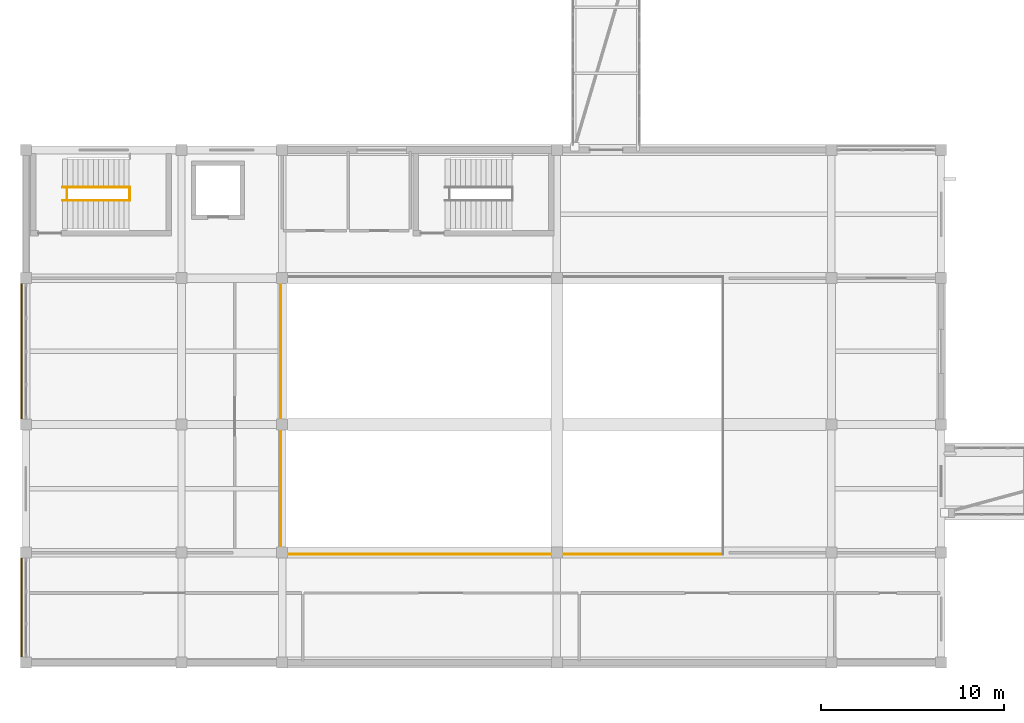
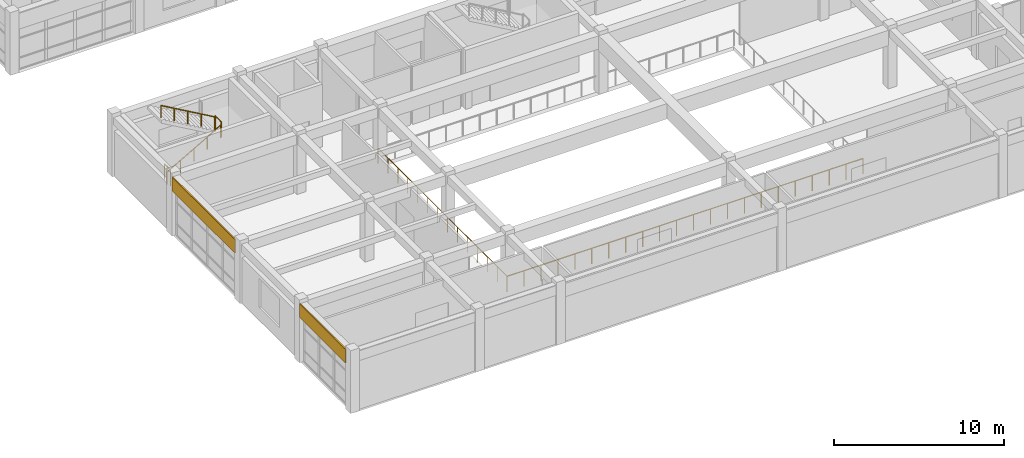
# One storey, part 60 of 72: 6 railings, 2 coverings.
"""IFC4 building model written with IfcOpenShell, lengths in metres."""

from ifc_helpers import new_model, si_unit, direction, frame, origin, origin_2d, place, context, subcontext, project, spatial, rectangle, circle, extrude, material, layer, layer_set, type_object, element, save


model = new_model("IFC4")

# Units and contexts
model_context = context("Model", 3, precision=1e-05, world=origin(), true_north=direction((0.0, 1.0)))
body_context = subcontext(model_context, "Body", "Model", "MODEL_VIEW")
ifc_project = project(units=[si_unit("LENGTHUNIT", "METRE"), si_unit("AREAUNIT", "SQUARE_METRE"), si_unit("VOLUMEUNIT", "CUBIC_METRE"), si_unit("PLANEANGLEUNIT", "RADIAN"), si_unit("MASSUNIT", "GRAM", prefix="KILO")], contexts=[model_context])

# Site, building, storey
site_placement = place(None, origin())
site = spatial("IfcSite", under=ifc_project, at=site_placement, CompositionType="ELEMENT")
building_placement = place(site_placement, origin())
building = spatial("IfcBuilding", under=site, at=building_placement, Name="Naurynzar Civic Courthouse", CompositionType="ELEMENT")
storey_placement = place(building_placement, frame((0.0, 0.0, 9.89990234375)))
storey = spatial("IfcBuildingStorey", under=building, at=storey_placement, Name="L03", CompositionType="ELEMENT", Elevation=9.89990234375)

# Coverings
ifc_material_1 = material(Name="Precast concrete C40/50", Category="concrete")
ifc_layer = layer(ifc_material_1, 0.080078125)
ifc_layer_set = layer_set([ifc_layer], Name="COV-CLAD-PRECAST-80")
covering_type = type_object("IfcCoveringType", Name="COV-CLAD-PRECAST-80", PredefinedType="CLADDING", material=ifc_layer_set)
covering_1_placement = place(storey_placement, frame((5.7451171875, 7.0, 3.260009765625), z_axis=(0.0, 0.0, 1.0), x_axis=(0.0, 1.0, 0.0)))
element("IfcCovering", 1, at=covering_1_placement, inside=storey, type_object=covering_type, Name="V4 precast spandrel cladding 77", PredefinedType="CLADDING", context=body_context, shape_type="SweptSolid", body=[
    extrude(rectangle(XDim=5.39990234375, YDim=0.080078125, at=origin_2d()), origin(), (0.0, 0.0, 1.0), 0.97998046875),
])
covering_2_placement = place(storey_placement, frame((5.7451171875, 21.0, 3.260009765625), z_axis=(0.0, 0.0, 1.0), x_axis=(0.0, 1.0, 0.0)))
element("IfcCovering", 2, at=covering_2_placement, inside=storey, type_object=covering_type, Name="V4 precast spandrel cladding 78", PredefinedType="CLADDING", context=body_context, shape_type="SweptSolid", body=[
    extrude(rectangle(XDim=7.39990234375, YDim=0.080078125, at=origin_2d()), origin(), (0.0, 0.0, 1.0), 0.97998046875),
])

# Railings
ifc_material_2 = material(Name="Brushed Stainless Steel 304", Category="steel")
railing_type_1 = type_object("IfcRailingType", Name="RAIL-BAL-1100", PredefinedType="BALUSTRADE", material=ifc_material_2)
railing_1_placement = place(storey_placement, frame((19.919921875, 9.919921875, 0.0)))
element("IfcRailing", 3, at=railing_1_placement, inside=storey, type_object=railing_type_1, Name="Atrium gallery balustrade guard GR-VOID-V4-L03.1", PredefinedType="BALUSTRADE", context=body_context, shape_type="SweptSolid", body=[
    extrude(circle(Radius=0.02392578125, at=origin_2d()), frame((0.0, 0.0, 1.09619140625), z_axis=(1.0, 0.0, 0.0), x_axis=(0.0, 1.0, 0.0)), (0.0, 0.0, 1.0), 24.16015625),
    extrude(circle(Radius=0.02099609375, at=origin_2d()), origin(), (0.0, 0.0, 1.0), 1.072021484375),
    extrude(circle(Radius=0.02099609375, at=origin_2d()), frame((1.150390625, 0.0, 0.0)), (0.0, 0.0, 1.0), 1.072021484375),
    extrude(circle(Radius=0.02099609375, at=origin_2d()), frame((2.301025390625, 0.0, 0.0)), (0.0, 0.0, 1.0), 1.072021484375),
    extrude(circle(Radius=0.02099609375, at=origin_2d()), frame((3.451416015625, 0.0, 0.0)), (0.0, 0.0, 1.0), 1.072021484375),
    extrude(circle(Radius=0.02099609375, at=origin_2d()), frame((4.60205078125, 0.0, 0.0)), (0.0, 0.0, 1.0), 1.072021484375),
    extrude(circle(Radius=0.02099609375, at=origin_2d()), frame((5.75244140625, 0.0, 0.0)), (0.0, 0.0, 1.0), 1.072021484375),
    extrude(circle(Radius=0.02099609375, at=origin_2d()), frame((6.90283203125, 0.0, 0.0)), (0.0, 0.0, 1.0), 1.072021484375),
    extrude(circle(Radius=0.02099609375, at=origin_2d()), frame((8.053466796875, 0.0, 0.0)), (0.0, 0.0, 1.0), 1.072021484375),
    extrude(circle(Radius=0.02099609375, at=origin_2d()), frame((9.203857421875, 0.0, 0.0)), (0.0, 0.0, 1.0), 1.072021484375),
    extrude(circle(Radius=0.02099609375, at=origin_2d()), frame((10.354248046875, 0.0, 0.0)), (0.0, 0.0, 1.0), 1.072021484375),
    extrude(circle(Radius=0.02099609375, at=origin_2d()), frame((11.5048828125, 0.0, 0.0)), (0.0, 0.0, 1.0), 1.072021484375),
    extrude(circle(Radius=0.02099609375, at=origin_2d()), frame((12.6552734375, 0.0, 0.0)), (0.0, 0.0, 1.0), 1.072021484375),
    extrude(circle(Radius=0.02099609375, at=origin_2d()), frame((13.805908203125, 0.0, 0.0)), (0.0, 0.0, 1.0), 1.072021484375),
    extrude(circle(Radius=0.02099609375, at=origin_2d()), frame((14.956298828125, 0.0, 0.0)), (0.0, 0.0, 1.0), 1.072021484375),
    extrude(circle(Radius=0.02099609375, at=origin_2d()), frame((16.106689453125, 0.0, 0.0)), (0.0, 0.0, 1.0), 1.072021484375),
    extrude(circle(Radius=0.02099609375, at=origin_2d()), frame((17.25732421875, 0.0, 0.0)), (0.0, 0.0, 1.0), 1.072021484375),
    extrude(circle(Radius=0.02099609375, at=origin_2d()), frame((18.40771484375, 0.0, 0.0)), (0.0, 0.0, 1.0), 1.072021484375),
    extrude(circle(Radius=0.02099609375, at=origin_2d()), frame((19.55810546875, 0.0, 0.0)), (0.0, 0.0, 1.0), 1.072021484375),
    extrude(circle(Radius=0.02099609375, at=origin_2d()), frame((20.708740234375, 0.0, 0.0)), (0.0, 0.0, 1.0), 1.072021484375),
    extrude(circle(Radius=0.02099609375, at=origin_2d()), frame((21.859130859375, 0.0, 0.0)), (0.0, 0.0, 1.0), 1.072021484375),
    extrude(circle(Radius=0.02099609375, at=origin_2d()), frame((23.009765625, 0.0, 0.0)), (0.0, 0.0, 1.0), 1.072021484375),
    extrude(circle(Radius=0.02099609375, at=origin_2d()), frame((24.16015625, 0.0, 0.0)), (0.0, 0.0, 1.0), 1.072021484375),
])
railing_2_placement = place(storey_placement, frame((19.919921875, 25.080078125, 0.0)))
element("IfcRailing", 4, at=railing_2_placement, inside=storey, type_object=railing_type_1, Name="Atrium gallery balustrade guard GR-VOID-V4-L03.4", PredefinedType="BALUSTRADE", context=body_context, shape_type="SweptSolid", body=[
    extrude(circle(Radius=0.02392578125, at=origin_2d()), frame((0.0, 0.0, 1.09619140625), z_axis=(0.0, -1.0, 0.0), x_axis=(1.0, 0.0, 0.0)), (0.0, 0.0, 1.0), 15.16015625),
    extrude(circle(Radius=0.02099609375, at=origin_2d()), origin(), (0.0, 0.0, 1.0), 1.072021484375),
    extrude(circle(Radius=0.02099609375, at=origin_2d()), frame((0.0, -1.166259765625, 0.0)), (0.0, 0.0, 1.0), 1.072021484375),
    extrude(circle(Radius=0.02099609375, at=origin_2d()), frame((0.0, -2.332275390625, 0.0)), (0.0, 0.0, 1.0), 1.072021484375),
    extrude(circle(Radius=0.02099609375, at=origin_2d()), frame((0.0, -3.49853515625, 0.0)), (0.0, 0.0, 1.0), 1.072021484375),
    extrude(circle(Radius=0.02099609375, at=origin_2d()), frame((0.0, -4.66455078125, 0.0)), (0.0, 0.0, 1.0), 1.072021484375),
    extrude(circle(Radius=0.02099609375, at=origin_2d()), frame((0.0, -5.830810546875, 0.0)), (0.0, 0.0, 1.0), 1.072021484375),
    extrude(circle(Radius=0.02099609375, at=origin_2d()), frame((0.0, -6.9970703125, 0.0)), (0.0, 0.0, 1.0), 1.072021484375),
    extrude(circle(Radius=0.02099609375, at=origin_2d()), frame((0.0, -8.1630859375, 0.0)), (0.0, 0.0, 1.0), 1.072021484375),
    extrude(circle(Radius=0.02099609375, at=origin_2d()), frame((0.0, -9.329345703125, 0.0)), (0.0, 0.0, 1.0), 1.072021484375),
    extrude(circle(Radius=0.02099609375, at=origin_2d()), frame((0.0, -10.49560546875, 0.0)), (0.0, 0.0, 1.0), 1.072021484375),
    extrude(circle(Radius=0.02099609375, at=origin_2d()), frame((0.0, -11.66162109375, 0.0)), (0.0, 0.0, 1.0), 1.072021484375),
    extrude(circle(Radius=0.02099609375, at=origin_2d()), frame((0.0, -12.827880859375, 0.0)), (0.0, 0.0, 1.0), 1.072021484375),
    extrude(circle(Radius=0.02099609375, at=origin_2d()), frame((0.0, -13.993896484375, 0.0)), (0.0, 0.0, 1.0), 1.072021484375),
    extrude(circle(Radius=0.02099609375, at=origin_2d()), frame((0.0, -15.16015625, 0.0)), (0.0, 0.0, 1.0), 1.072021484375),
])
for number, where, name in (
    (5, (8.239990234375, 29.239990234375, 0.0), "Stair ST-V4A floor well slot guard L03"),
    (6, (11.679931640625, 29.239990234375, 2.25), "Stair ST-V4A-L03 half-landing well guard"),
):
    element("IfcRailing", number, at=place(storey_placement, frame(where)), inside=storey, type_object=railing_type_1, Name=name, PredefinedType="BALUSTRADE", context=body_context, shape_type="SweptSolid", body=[
        extrude(circle(Radius=0.02392578125, at=origin_2d()), frame((0.0, 0.0, 1.09619140625), z_axis=(0.0, 1.0, 0.0), x_axis=(-1.0, 0.0, 0.0)), (0.0, 0.0, 1.0), 0.719970703125),
        extrude(circle(Radius=0.02099609375, at=origin_2d()), origin(), (0.0, 0.0, 1.0), 1.072021484375),
        extrude(circle(Radius=0.02099609375, at=origin_2d()), frame((0.0, 0.719970703125, 0.0)), (0.0, 0.0, 1.0), 1.072021484375),
    ])
ifc_material_3 = material(Name="Brushed Stainless Steel 304", Category="steel")
railing_type_2 = type_object("IfcRailingType", Name="RAIL-HR-900", PredefinedType="HANDRAIL", material=ifc_material_3)
railing_3_placement = place(storey_placement, frame((8.0, 29.239990234375, 0.160888671875)))
element("IfcRailing", 7, at=railing_3_placement, inside=storey, type_object=railing_type_2, Name="Stair ST-V4A-L03 flight 1 handrail", PredefinedType="HANDRAIL", context=body_context, shape_type="SweptSolid", body=[
    extrude(circle(Radius=0.02392578125, at=origin_2d()), frame((0.0, 0.0, 0.8759765625), z_axis=(0.867300072446, 0.0, 0.497785681127), x_axis=(0.0, 1.0, 0.0)), (0.0, 0.0, 1.0), 4.19677734375),
    extrude(circle(Radius=0.02099609375, at=origin_2d()), origin(), (0.0, 0.0, 1.0), 0.851806640625),
    extrude(circle(Radius=0.02099609375, at=origin_2d()), frame((0.909912109375, 0.0, 0.522216796875)), (0.0, 0.0, 1.0), 0.851806640625),
    extrude(circle(Radius=0.02099609375, at=origin_2d()), frame((1.81982421875, 0.0, 1.04443359375)), (0.0, 0.0, 1.0), 0.851806640625),
    extrude(circle(Radius=0.02099609375, at=origin_2d()), frame((2.72998046875, 0.0, 1.56689453125)), (0.0, 0.0, 1.0), 0.851806640625),
    extrude(circle(Radius=0.02099609375, at=origin_2d()), frame((3.639892578125, 0.0, 2.089111328125)), (0.0, 0.0, 1.0), 0.851806640625),
])
railing_4_placement = place(storey_placement, frame((11.639892578125, 29.9599609375, 2.410888671875)))
element("IfcRailing", 8, at=railing_4_placement, inside=storey, type_object=railing_type_2, Name="Stair ST-V4A-L03 flight 2 handrail", PredefinedType="HANDRAIL", context=body_context, shape_type="SweptSolid", body=[
    extrude(circle(Radius=0.02392578125, at=origin_2d()), frame((0.0, 0.0, 0.8759765625), z_axis=(-0.867300072446, 0.0, 0.497785681127), x_axis=(0.0, -1.0, 0.0)), (0.0, 0.0, 1.0), 4.19677734375),
    extrude(circle(Radius=0.02099609375, at=origin_2d()), origin(), (0.0, 0.0, 1.0), 0.851806640625),
    extrude(circle(Radius=0.02099609375, at=origin_2d()), frame((-0.909912109375, 0.0, 0.522216796875)), (0.0, 0.0, 1.0), 0.851806640625),
    extrude(circle(Radius=0.02099609375, at=origin_2d()), frame((-1.81982421875, 0.0, 1.04443359375)), (0.0, 0.0, 1.0), 0.851806640625),
    extrude(circle(Radius=0.02099609375, at=origin_2d()), frame((-2.72998046875, 0.0, 1.56689453125)), (0.0, 0.0, 1.0), 0.851806640625),
    extrude(circle(Radius=0.02099609375, at=origin_2d()), frame((-3.639892578125, 0.0, 2.089111328125)), (0.0, 0.0, 1.0), 0.851806640625),
])

save(model, "model.ifc")
